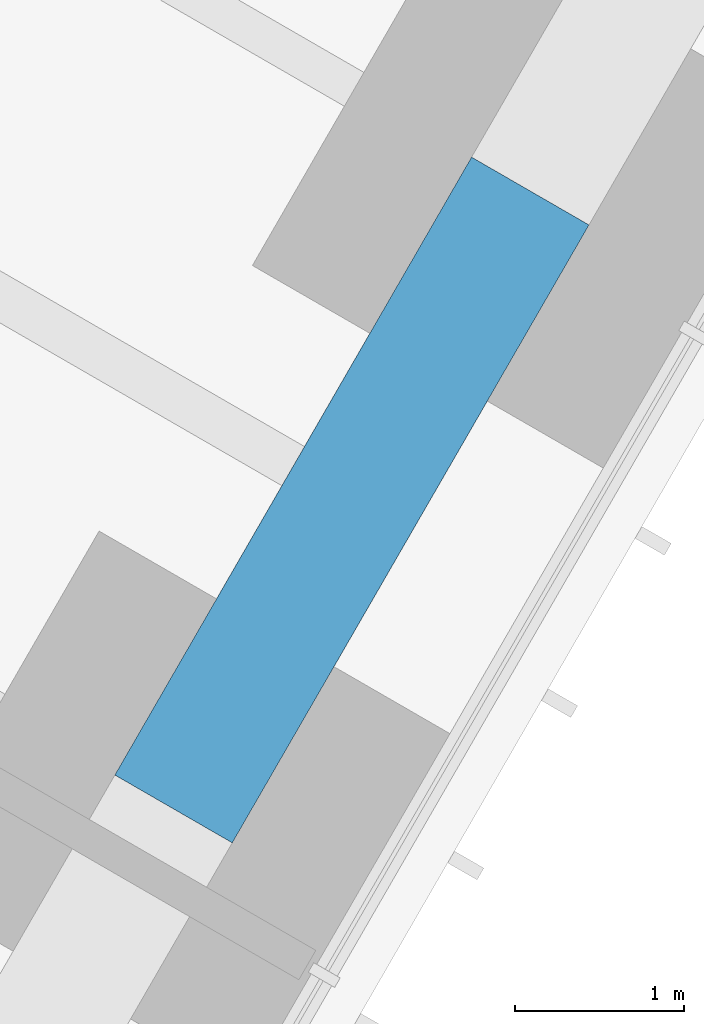
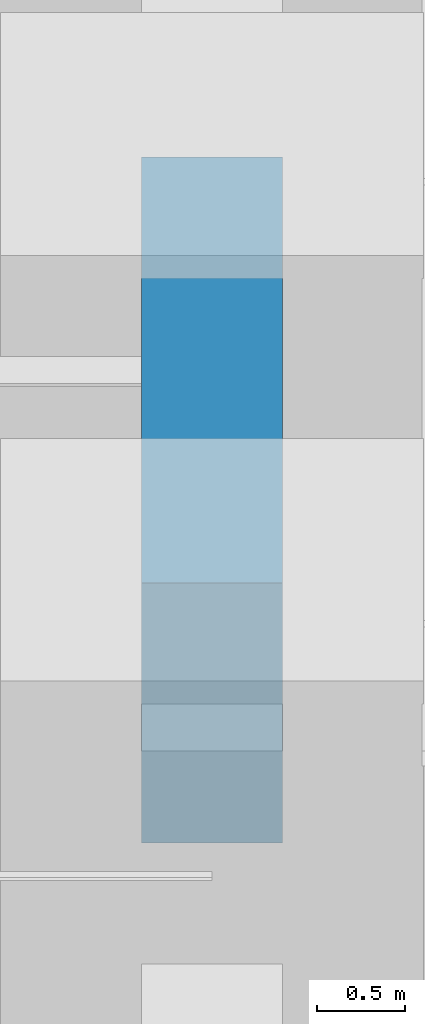
# One storey, part 95 of 256: 1 beam.
"""IFC4 building model written with IfcOpenShell, lengths in metres."""

from ifc_helpers import new_model, si_unit, direction, frame, origin, origin_2d, place, context, subcontext, project, spatial, rectangle, extrude, material, material_profile, profile_set, type_object, element, save


model = new_model("IFC4")

# Units and contexts
model_context = context("Model", 3, precision=1e-05, world=origin(), true_north=direction((0.0, 1.0)))
body_context = subcontext(model_context, "Body", "Model", "MODEL_VIEW")
ifc_project = project(units=[si_unit("LENGTHUNIT", "METRE"), si_unit("AREAUNIT", "SQUARE_METRE"), si_unit("VOLUMEUNIT", "CUBIC_METRE"), si_unit("PLANEANGLEUNIT", "RADIAN"), si_unit("MASSUNIT", "GRAM", prefix="KILO")], contexts=[model_context])

# Site, building, storey
site_placement = place(None, origin())
site = spatial("IfcSite", under=ifc_project, at=site_placement, CompositionType="ELEMENT")
building_placement = place(site_placement, origin())
building = spatial("IfcBuilding", under=site, at=building_placement, Name="Sandreach Pilgrim Tower", CompositionType="ELEMENT")
storey_placement = place(building_placement, frame((0.0, 0.0, 23.0)))
storey = spatial("IfcBuildingStorey", under=building, at=storey_placement, Name="L04", CompositionType="ELEMENT", Elevation=23.0)

# Beam
ifc_material = material(Name="Concrete 10000 psi", Category="concrete")
ifc_material_profile = material_profile(ifc_material, rectangle(XDim=0.800048828125, YDim=1.800048828125, at=origin_2d()), Name="RC800X1800")
ifc_profile_set = profile_set([ifc_material_profile], Name="Concrete 10000 psi")
beam_type = type_object("IfcBeamType", Name="Spandrel beam RC800X1800", PredefinedType="SPANDREL", material=ifc_profile_set)
beam_placement = place(storey_placement, frame((16.491455078125, -16.813232421875, 2.739990234375), z_axis=(-0.499975138639, -0.866039757022, 0.0), x_axis=(0.866039757022, -0.499975138639, 0.0)))
element("IfcBeam", 1, at=beam_placement, inside=storey, type_object=beam_type, Name="BM L04 SP19", PredefinedType="SPANDREL", context=body_context, shape_type="SweptSolid", body=[
    extrude(rectangle(XDim=0.800048828125, YDim=1.800048828125, at=origin_2d()), origin(), (0.0, 0.0, 1.0), 4.209716796875),
])

save(model, "model.ifc")
